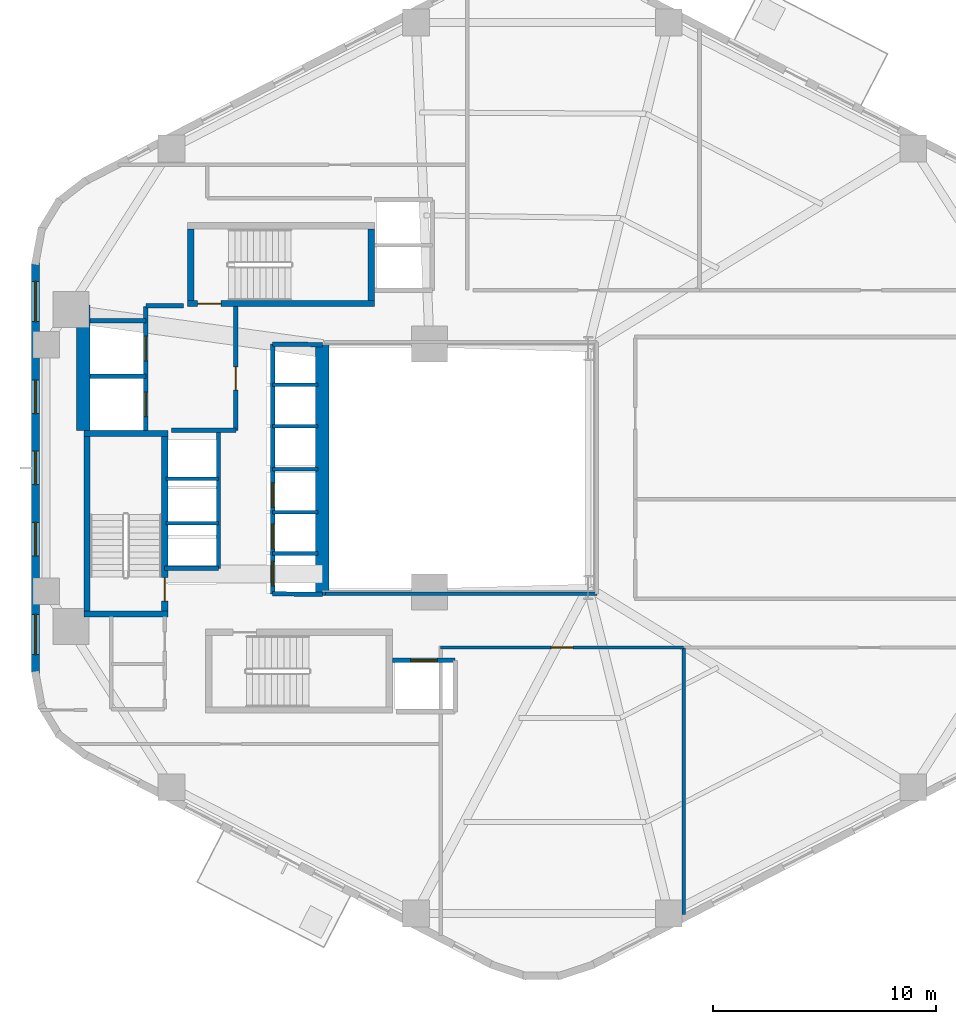
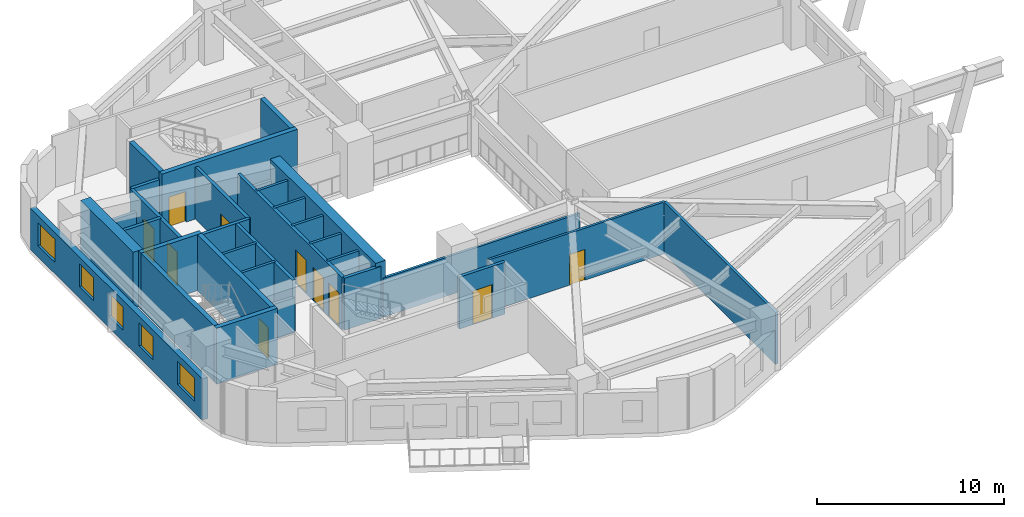
# One storey, part 3 of 7: 32 walls, 10 doors, 5 windows, 15 openings.
"""IFC4 building model written with IfcOpenShell, lengths in metres."""

from ifc_helpers import new_model, si_unit, direction, frame, frame_2d, origin, place, context, subcontext, project, spatial, rectangle, extrude, material, layer, layer_set, type_object, element, fill, save


model = new_model("IFC4")

# Units and contexts
model_context = context("Model", 3, precision=1e-05, world=origin(), true_north=direction((0.0, 1.0)))
body_context = subcontext(model_context, "Body", "Model", "MODEL_VIEW")
ifc_project = project(units=[si_unit("LENGTHUNIT", "METRE"), si_unit("AREAUNIT", "SQUARE_METRE"), si_unit("VOLUMEUNIT", "CUBIC_METRE"), si_unit("PLANEANGLEUNIT", "RADIAN"), si_unit("MASSUNIT", "GRAM", prefix="KILO"), si_unit("THERMODYNAMICTEMPERATUREUNIT", "KELVIN"), si_unit("POWERUNIT", "WATT")], contexts=[model_context])

# Site, building, storey
site_placement = place(None, origin())
site = spatial("IfcSite", under=ifc_project, at=site_placement, CompositionType="ELEMENT")
building_placement = place(site_placement, origin())
building = spatial("IfcBuilding", under=site, at=building_placement, Name="Skarre Station Tower", CompositionType="ELEMENT")
storey_placement = place(building_placement, frame((0.0, 0.0, 37.949951171875)))
storey = spatial("IfcBuildingStorey", under=building, at=storey_placement, Name="L09", CompositionType="ELEMENT", Elevation=37.949951171875)

# Wall
ifc_material_1 = material(Name="Acoustic Steel-Stud Gypsum Partition", Category="steel")
ifc_layer_1 = layer(ifc_material_1, 0.14990234375, Name="Acoustic Steel-Stud Gypsum Partition")
ifc_layer_set_1 = layer_set([ifc_layer_1], Name="Acoustic Steel-Stud Gypsum Partition")
wall_type_1 = type_object("IfcWallType", Name="Fire-Rated Corridor Acoustic Partition 150", PredefinedType="PARTITIONING", material=ifc_layer_set_1)
wall_1_placement = place(storey_placement, frame((27.699951171875, 18.360107421875, 0.0), z_axis=(0.0, 0.0, 1.0), x_axis=(1.0, 0.0, 0.0)))
element("IfcWall", 1, at=wall_1_placement, inside=storey, type_object=wall_type_1, Name="L09 Interior Partition WL-PT-L09-ATRW-S", PredefinedType="PARTITIONING", context=body_context, shape_type="SweptSolid", body=[
    extrude(rectangle(XDim=12.14013671875, YDim=0.14990234375, at=frame_2d((6.070068359375, 0.0))), origin(), (0.0, 0.0, 1.0), 2.531005859375),
])

# Wall, opening, door
wall_2_placement = place(storey_placement, frame((32.85009765625, 15.9599609375, 0.0), z_axis=(0.0, 0.0, 1.0), x_axis=(1.0, 0.0, 0.0)))
wall_2 = element("IfcWall", 2, at=wall_2_placement, inside=storey, type_object=wall_type_1, Name="L09 Interior Partition WL-PT-L09-SW1-CW", PredefinedType="PARTITIONING", context=body_context, shape_type="SweptSolid", body=[
    extrude(rectangle(XDim=10.868896484375, YDim=0.14990234375, at=frame_2d((5.4345703125, 0.0))), origin(), (0.0, 0.0, 1.0), 3.39013671875),
])
opening_1_placement = place(wall_2_placement, frame((4.955078125, 0.0, 0.0)))
opening_1 = element("IfcOpeningElement", 3, at=opening_1_placement, cuts=wall_2, Name="Opening DR-FD60", PredefinedType="OPENING", context=body_context, shape_type="SweptSolid", body=[
    extrude(rectangle(XDim=0.9599609375, YDim=2.0, at=frame_2d((0.47998046875, 1.0))), frame((0.0, 0.0849609375, 0.0), z_axis=(0.0, -1.0, 0.0), x_axis=(1.0, 0.0, 0.0)), (0.0, 0.0, 1.0), 0.169921875),
])
ifc_material_2 = material(Name="Nordic White-Oak Veneer Solid-Core Fire Leaf", Category="wood")
door_type_1 = type_object("IfcDoorType", Name="Corridor Suite Entry Fire Door FD60 960x2150", OperationType="SINGLE_SWING_LEFT", PredefinedType="DOOR", material=ifc_material_2)
door_1_placement = place(opening_1_placement, origin())
door_1 = element("IfcDoor", 4, at=door_1_placement, inside=storey, type_object=door_type_1, Name="L09 SW1 Entry Door", OperationType="SINGLE_SWING_LEFT", OverallHeight=2.0, OverallWidth=0.9599609375, PredefinedType="DOOR", context=body_context, shape_type="SweptSolid", body=[
    extrude(rectangle(XDim=0.9599609375, YDim=2.0, at=frame_2d((0.47998046875, 1.0))), frame((0.0, 0.02490234375, 0.0), z_axis=(0.0, -1.0, 0.0), x_axis=(1.0, 0.0, 0.0)), (0.0, 0.0, 1.0), 0.050048828125),
])
fill(opening_1, door_1)

# Wall, openings, windows
ifc_material_3 = material(Name="Precast concrete C45/55", Category="concrete")
ifc_layer_2 = layer(ifc_material_3, 0.340087890625, Name="Precast concrete C45/55")
ifc_layer_set_2 = layer_set([ifc_layer_2], Name="Precast concrete C45/55")
wall_type_2 = type_object("IfcWallType", Name="Nordic Honed Precast Facet Wall 340", PredefinedType="STANDARD", material=ifc_layer_set_2)
wall_3_placement = place(storey_placement, frame((14.70703125, 14.798095703125, 0.0), z_axis=(0.0, 0.0, 1.0), x_axis=(0.0, 1.0, 0.0)))
wall_3 = element("IfcWall", 5, at=wall_3_placement, inside=storey, type_object=wall_type_2, Name="L09 Facet 2 Nordic Precast Masonry Wall", PredefinedType="STANDARD", context=body_context, shape_type="SweptSolid", body=[
    extrude(rectangle(XDim=18.40380859375, YDim=0.340087890625, at=frame_2d((9.201904296875, 0.0))), origin(), (0.0, 0.0, 1.0), 2.68408203125),
])
opening_2_placement = place(wall_3_placement, frame((0.844970703125, 0.0, 0.75)))
opening_2 = element("IfcOpeningElement", 6, at=opening_2_placement, cuts=wall_3, Name="Opening WN-Z1A", PredefinedType="OPENING", context=body_context, shape_type="SweptSolid", body=[
    extrude(rectangle(XDim=1.800048828125, YDim=1.5, at=frame_2d((0.89990234375, 0.75))), frame((0.0, 0.179931640625, 0.0), z_axis=(0.0, -1.0, 0.0), x_axis=(1.0, 0.0, 0.0)), (0.0, 0.0, 1.0), 0.360107421875),
])
opening_3_placement = place(wall_3_placement, frame((5.264892578125, 0.0, 0.75)))
opening_3 = element("IfcOpeningElement", 7, at=opening_3_placement, cuts=wall_3, Name="Opening WN-Z1B", PredefinedType="OPENING", context=body_context, shape_type="SweptSolid", body=[
    extrude(rectangle(XDim=1.5, YDim=1.5, at=frame_2d((0.75, 0.75))), frame((0.0, 0.179931640625, 0.0), z_axis=(0.0, -1.0, 0.0), x_axis=(1.0, 0.0, 0.0)), (0.0, 0.0, 1.0), 0.360107421875),
])
opening_4_placement = place(wall_3_placement, frame((8.451904296875, 0.0, 0.75)))
opening_4 = element("IfcOpeningElement", 8, at=opening_4_placement, cuts=wall_3, Name="Opening WN-Z1B", PredefinedType="OPENING", context=body_context, shape_type="SweptSolid", body=[
    extrude(rectangle(XDim=1.5, YDim=1.5, at=frame_2d((0.75, 0.75))), frame((0.0, 0.179931640625, 0.0), z_axis=(0.0, -1.0, 0.0), x_axis=(1.0, 0.0, 0.0)), (0.0, 0.0, 1.0), 0.360107421875),
])
opening_5_placement = place(wall_3_placement, frame((11.638916015625, 0.0, 0.75)))
opening_5 = element("IfcOpeningElement", 9, at=opening_5_placement, cuts=wall_3, Name="Opening WN-Z1B", PredefinedType="OPENING", context=body_context, shape_type="SweptSolid", body=[
    extrude(rectangle(XDim=1.5, YDim=1.5, at=frame_2d((0.75, 0.75))), frame((0.0, 0.179931640625, 0.0), z_axis=(0.0, -1.0, 0.0), x_axis=(1.0, 0.0, 0.0)), (0.0, 0.0, 1.0), 0.360107421875),
])
opening_6_placement = place(wall_3_placement, frame((15.758056640625, 0.0, 0.75)))
opening_6 = element("IfcOpeningElement", 10, at=opening_6_placement, cuts=wall_3, Name="Opening WN-Z1A", PredefinedType="OPENING", context=body_context, shape_type="SweptSolid", body=[
    extrude(rectangle(XDim=1.800048828125, YDim=1.5, at=frame_2d((0.89990234375, 0.75))), frame((0.0, 0.179931640625, 0.0), z_axis=(0.0, -1.0, 0.0), x_axis=(1.0, 0.0, 0.0)), (0.0, 0.0, 1.0), 0.360107421875),
])
ifc_material_4 = material(Name="Low-Iron Triple Glazing with Bronze Anodized Frame", Category="glass")
window_type_1 = type_object("IfcWindowType", Name="Nordic Punched Triple-Glazed Window 1500x1500", PartitioningType="SINGLE_PANEL", PredefinedType="WINDOW", material=ifc_material_4)
window_1_placement = place(opening_3_placement, origin())
window_1 = element("IfcWindow", 11, at=window_1_placement, inside=storey, type_object=window_type_1, Name="L09 Facade Window WL-FAC-L09-F2-2", OverallHeight=1.5, OverallWidth=1.5, PartitioningType="SINGLE_PANEL", PredefinedType="WINDOW", context=body_context, shape_type="SweptSolid", body=[
    extrude(rectangle(XDim=1.5, YDim=1.5, at=frame_2d((0.75, 0.75))), frame((0.0, 0.030029296875, 0.0), z_axis=(0.0, -1.0, 0.0), x_axis=(1.0, 0.0, 0.0)), (0.0, 0.0, 1.0), 0.06005859375),
])
fill(opening_3, window_1)
window_2_placement = place(opening_4_placement, origin())
window_2 = element("IfcWindow", 12, at=window_2_placement, inside=storey, type_object=window_type_1, Name="L09 Facade Window WL-FAC-L09-F2-3", OverallHeight=1.5, OverallWidth=1.5, PartitioningType="SINGLE_PANEL", PredefinedType="WINDOW", context=body_context, shape_type="SweptSolid", body=[
    extrude(rectangle(XDim=1.5, YDim=1.5, at=frame_2d((0.75, 0.75))), frame((0.0, 0.030029296875, 0.0), z_axis=(0.0, -1.0, 0.0), x_axis=(1.0, 0.0, 0.0)), (0.0, 0.0, 1.0), 0.06005859375),
])
fill(opening_4, window_2)
window_3_placement = place(opening_5_placement, origin())
window_3 = element("IfcWindow", 13, at=window_3_placement, inside=storey, type_object=window_type_1, Name="L09 Facade Window WL-FAC-L09-F2-4", OverallHeight=1.5, OverallWidth=1.5, PartitioningType="SINGLE_PANEL", PredefinedType="WINDOW", context=body_context, shape_type="SweptSolid", body=[
    extrude(rectangle(XDim=1.5, YDim=1.5, at=frame_2d((0.75, 0.75))), frame((0.0, 0.030029296875, 0.0), z_axis=(0.0, -1.0, 0.0), x_axis=(1.0, 0.0, 0.0)), (0.0, 0.0, 1.0), 0.06005859375),
])
fill(opening_5, window_3)
window_type_2 = type_object("IfcWindowType", Name="Nordic Punched Triple-Glazed Window 1800x1500", PartitioningType="SINGLE_PANEL", PredefinedType="WINDOW", material=ifc_material_4)
window_4_placement = place(opening_2_placement, origin())
window_4 = element("IfcWindow", 14, at=window_4_placement, inside=storey, type_object=window_type_2, Name="L09 Facade Window WL-FAC-L09-F2-1", OverallHeight=1.5, OverallWidth=1.800048828125, PartitioningType="SINGLE_PANEL", PredefinedType="WINDOW", context=body_context, shape_type="SweptSolid", body=[
    extrude(rectangle(XDim=1.800048828125, YDim=1.5, at=frame_2d((0.89990234375, 0.75))), frame((0.0, 0.030029296875, 0.0), z_axis=(0.0, -1.0, 0.0), x_axis=(1.0, 0.0, 0.0)), (0.0, 0.0, 1.0), 0.06005859375),
])
fill(opening_2, window_4)
window_5_placement = place(opening_6_placement, origin())
window_5 = element("IfcWindow", 15, at=window_5_placement, inside=storey, type_object=window_type_2, Name="L09 Facade Window WL-FAC-L09-F2-5", OverallHeight=1.5, OverallWidth=1.800048828125, PartitioningType="SINGLE_PANEL", PredefinedType="WINDOW", context=body_context, shape_type="SweptSolid", body=[
    extrude(rectangle(XDim=1.800048828125, YDim=1.5, at=frame_2d((0.89990234375, 0.75))), frame((0.0, 0.030029296875, 0.0), z_axis=(0.0, -1.0, 0.0), x_axis=(1.0, 0.0, 0.0)), (0.0, 0.0, 1.0), 0.06005859375),
])
fill(opening_6, window_5)

# Walls
ifc_material_5 = material(Name="Concrete C50/60", Category="concrete")
ifc_layer_3 = layer(ifc_material_5, 0.280029296875, Name="Concrete C50/60")
ifc_layer_set_3 = layer_set([ifc_layer_3], Name="Concrete C50/60")
wall_type_3 = type_object("IfcWallType", Name="RC Core Shear Wall 280", PredefinedType="SHEAR", material=ifc_layer_set_3)
for number, where, z_axis, x_axis, name in (
    (16, (16.8701171875, 17.4599609375, 0.0), (0.0, 0.0, 1.0), (1.0, 0.0, 0.0), "L09 Stair ST-1 South Shear Wall"),
    (17, (20.6298828125, 25.5400390625, 0.0), (0.0, 0.0, 1.0), (-1.0, 0.0, 0.0), "L09 Stair ST-1 North Shear Wall"),
):
    element("IfcWall", number, at=place(storey_placement, frame(where, z_axis=z_axis, x_axis=x_axis)), inside=storey, type_object=wall_type_3, Name=name, PredefinedType="SHEAR", context=body_context, shape_type="SweptSolid", body=[
        extrude(rectangle(XDim=3.759765625, YDim=0.280029296875, at=frame_2d((1.8798828125, 0.0))), origin(), (0.0, 0.0, 1.0), 3.650146484375),
    ])
wall_4_placement = place(storey_placement, frame((17.010009765625, 25.39990234375, 0.0), z_axis=(0.0, 0.0, 1.0), x_axis=(0.0, -1.0, 0.0)))
element("IfcWall", 18, at=wall_4_placement, inside=storey, type_object=wall_type_3, Name="L09 Stair ST-1 West Shear Wall", PredefinedType="SHEAR", context=body_context, shape_type="SweptSolid", body=[
    extrude(rectangle(XDim=7.7998046875, YDim=0.280029296875, at=frame_2d((3.89990234375, 0.0))), origin(), (0.0, 0.0, 1.0), 3.650146484375),
])

# Wall, opening, door
wall_5_placement = place(storey_placement, frame((20.489990234375, 17.60009765625, 0.0), z_axis=(0.0, 0.0, 1.0), x_axis=(0.0, 1.0, 0.0)))
wall_5 = element("IfcWall", 19, at=wall_5_placement, inside=storey, type_object=wall_type_3, Name="L09 Stair ST-1 East Shear Wall", PredefinedType="SHEAR", context=body_context, shape_type="SweptSolid", body=[
    extrude(rectangle(XDim=7.7998046875, YDim=0.280029296875, at=frame_2d((3.89990234375, 0.0))), origin(), (0.0, 0.0, 1.0), 3.650146484375),
])
opening_7_placement = place(wall_5_placement, frame((0.43994140625, 0.0, 0.0)))
opening_7 = element("IfcOpeningElement", 20, at=opening_7_placement, cuts=wall_5, Name="Opening DR-FD90", PredefinedType="OPENING", context=body_context, shape_type="SweptSolid", body=[
    extrude(rectangle(XDim=1.050048828125, YDim=2.0, at=frame_2d((0.52490234375, 1.0))), frame((0.0, 0.14990234375, 0.0), z_axis=(0.0, -1.0, 0.0), x_axis=(1.0, 0.0, 0.0)), (0.0, 0.0, 1.0), 0.300048828125),
])
ifc_material_6 = material(Name="Fire-Rated Insulated Steel Frame & Timber Core Leaf", Category="steel")
door_type_2 = type_object("IfcDoorType", Name="Stair & FSAE Lobby Fire Door FD90 1050x2150", OperationType="SINGLE_SWING_RIGHT", PredefinedType="DOOR", material=ifc_material_6)
door_2_placement = place(opening_7_placement, origin())
door_2 = element("IfcDoor", 21, at=door_2_placement, inside=storey, type_object=door_type_2, Name="L09 Stair ST-1 Exit Door", OperationType="SINGLE_SWING_RIGHT", OverallHeight=2.0, OverallWidth=1.050048828125, PredefinedType="DOOR", context=body_context, shape_type="SweptSolid", body=[
    extrude(rectangle(XDim=1.050048828125, YDim=2.0, at=frame_2d((0.52490234375, 1.0))), frame((0.0, 0.02490234375, 0.0), z_axis=(0.0, -1.0, 0.0), x_axis=(1.0, 0.0, 0.0)), (0.0, 0.0, 1.0), 0.050048828125),
])
fill(opening_7, door_2)

wall_6_placement = place(storey_placement, frame((21.52001953125, 31.360107421875, 0.0), z_axis=(0.0, 0.0, 1.0), x_axis=(1.0, 0.0, 0.0)))
wall_6 = element("IfcWall", 22, at=wall_6_placement, inside=storey, type_object=wall_type_3, Name="L09 Stair ST-3 South Shear Wall", PredefinedType="SHEAR", context=body_context, shape_type="SweptSolid", body=[
    extrude(rectangle(XDim=8.35986328125, YDim=0.280029296875, at=frame_2d((4.179931640625, 0.0))), origin(), (0.0, 0.0, 1.0), 3.650146484375),
])
opening_8_placement = place(wall_6_placement, frame((0.449951171875, 0.0, 0.0)))
opening_8 = element("IfcOpeningElement", 23, at=opening_8_placement, cuts=wall_6, Name="Opening DR-FD90", PredefinedType="OPENING", context=body_context, shape_type="SweptSolid", body=[
    extrude(rectangle(XDim=1.050048828125, YDim=2.0, at=frame_2d((0.52490234375, 1.0))), frame((0.0, 0.14990234375, 0.0), z_axis=(0.0, -1.0, 0.0), x_axis=(1.0, 0.0, 0.0)), (0.0, 0.0, 1.0), 0.300048828125),
])
door_3_placement = place(opening_8_placement, origin())
door_3 = element("IfcDoor", 24, at=door_3_placement, inside=storey, type_object=door_type_2, Name="L09 Stair ST-3 & FSAE Lobby Direct Exit Door", OperationType="SINGLE_SWING_LEFT", OverallHeight=2.0, OverallWidth=1.050048828125, PredefinedType="DOOR", context=body_context, shape_type="SweptSolid", body=[
    extrude(rectangle(XDim=1.050048828125, YDim=2.0, at=frame_2d((0.52490234375, 1.0))), frame((0.0, 0.02490234375, 0.0), z_axis=(0.0, -1.0, 0.0), x_axis=(1.0, 0.0, 0.0)), (0.0, 0.0, 1.0), 0.050048828125),
])
fill(opening_8, door_3)

# Walls
for number, where, z_axis, x_axis, name in (
    (25, (21.659912109375, 34.699951171875, 0.0), (0.0, 0.0, 1.0), (0.0, -1.0, 0.0), "L09 Stair ST-3 West Shear Wall"),
    (26, (29.739990234375, 31.5, 0.0), (0.0, 0.0, 1.0), (0.0, 1.0, 0.0), "L09 Stair ST-3 East Shear Wall"),
):
    element("IfcWall", number, at=place(storey_placement, frame(where, z_axis=z_axis, x_axis=x_axis)), inside=storey, type_object=wall_type_3, Name=name, PredefinedType="SHEAR", context=body_context, shape_type="SweptSolid", body=[
        extrude(rectangle(XDim=3.199951171875, YDim=0.280029296875, at=frame_2d((1.60009765625, 0.0))), origin(), (0.0, 0.0, 1.0), 3.650146484375),
    ])
ifc_material_7 = material(Name="Concrete C70/85", Category="concrete")
ifc_layer_4 = layer(ifc_material_7, 0.60009765625, Name="Concrete C70/85")
ifc_layer_set_4 = layer_set([ifc_layer_4], Name="Concrete C70/85")
wall_type_4 = type_object("IfcWallType", Name="RC Core Shear Wall 600", PredefinedType="SHEAR", material=ifc_layer_set_4)
wall_7_placement = place(storey_placement, frame((16.85009765625, 25.679931640625, 0.0), z_axis=(0.0, 0.0, 1.0), x_axis=(0.0, 1.0, 0.0)))
element("IfcWall", 27, at=wall_7_placement, inside=storey, type_object=wall_type_4, Name="L09 Core West-North Shear Wall", PredefinedType="SHEAR", context=body_context, shape_type="SweptSolid", body=[
    extrude(rectangle(XDim=5.6201171875, YDim=0.60009765625, at=frame_2d((2.81005859375, 0.0))), origin(), (0.0, 0.0, 1.0), 3.650146484375),
])
wall_8_placement = place(storey_placement, frame((27.550048828125, 29.550048828125, 0.0), z_axis=(0.0, 0.0, 1.0), x_axis=(0.0, -1.0, 0.0)))
element("IfcWall", 28, at=wall_8_placement, inside=storey, type_object=wall_type_4, Name="L09 Core East Atrium Shear Wall", PredefinedType="SHEAR", context=body_context, shape_type="SweptSolid", body=[
    extrude(rectangle(XDim=11.25, YDim=0.60009765625, at=frame_2d((5.625, 0.0))), origin(), (0.0, 0.0, 1.0), 3.650146484375),
])

# Wall, openings, doors
ifc_material_8 = material(Name="Gypsum Concrete Shaft Assembly C30/37", Category="concrete")
ifc_layer_5 = layer(ifc_material_8, 0.199951171875, Name="Gypsum Concrete Shaft Assembly C30/37")
ifc_layer_set_5 = layer_set([ifc_layer_5], Name="Gypsum Concrete Shaft Assembly C30/37")
wall_type_5 = type_object("IfcWallType", Name="Shaft & Core Fire Partition 200", PredefinedType="PARTITIONING", material=ifc_layer_set_5)
wall_9_placement = place(storey_placement, frame((19.64990234375, 25.679931640625, 0.0), z_axis=(0.0, 0.0, 1.0), x_axis=(0.0, 1.0, 0.0)))
wall_9 = element("IfcWall", 29, at=wall_9_placement, inside=storey, type_object=wall_type_5, Name="L09 Interior Partition WL-PT-L09-FSAE-W", PredefinedType="PARTITIONING", context=body_context, shape_type="SweptSolid", body=[
    extrude(rectangle(XDim=5.5400390625, YDim=0.199951171875, at=frame_2d((2.77001953125, 0.0))), origin(), (0.0, 0.0, 1.0), 3.39013671875),
])
opening_9_placement = place(wall_9_placement, frame((0.6201171875, 0.0, 0.0)))
opening_9 = element("IfcOpeningElement", 30, at=opening_9_placement, cuts=wall_9, Name="Opening LD-FF1", PredefinedType="OPENING", context=body_context, shape_type="SweptSolid", body=[
    extrude(rectangle(XDim=1.10009765625, YDim=2.199951171875, at=frame_2d((0.550048828125, 1.10009765625))), frame((0.0, 0.10986328125, 0.0), z_axis=(0.0, -1.0, 0.0), x_axis=(1.0, 0.0, 0.0)), (0.0, 0.0, 1.0), 0.219970703125),
])
opening_10_placement = place(wall_9_placement, frame((3.1201171875, 0.0, 0.0)))
opening_10 = element("IfcOpeningElement", 31, at=opening_10_placement, cuts=wall_9, Name="Opening LD-FF2", PredefinedType="OPENING", context=body_context, shape_type="SweptSolid", body=[
    extrude(rectangle(XDim=1.10009765625, YDim=2.199951171875, at=frame_2d((0.550048828125, 1.10009765625))), frame((0.0, 0.10986328125, 0.0), z_axis=(0.0, -1.0, 0.0), x_axis=(1.0, 0.0, 0.0)), (0.0, 0.0, 1.0), 0.219970703125),
])
ifc_material_9 = material(Name="Fire-Rated Stainless Steel Grade 316L Sliding Leaves", Category="steel")
door_type_3 = type_object("IfcDoorType", Name="Fire Service Access Elevator Sliding Landing Door 1100x2200", OperationType="SLIDING_TO_LEFT", PredefinedType="DOOR", material=ifc_material_9)
door_4_placement = place(opening_9_placement, origin())
door_4 = element("IfcDoor", 32, at=door_4_placement, inside=storey, type_object=door_type_3, Name="L09 Firefighting Lift LF-FF1 Landing Door", OperationType="SLIDING_TO_LEFT", OverallHeight=2.199951171875, OverallWidth=1.10009765625, PredefinedType="DOOR", context=body_context, shape_type="SweptSolid", body=[
    extrude(rectangle(XDim=1.10009765625, YDim=2.199951171875, at=frame_2d((0.550048828125, 1.10009765625))), frame((0.0, 0.02490234375, 0.0), z_axis=(0.0, -1.0, 0.0), x_axis=(1.0, 0.0, 0.0)), (0.0, 0.0, 1.0), 0.050048828125),
])
fill(opening_9, door_4)
door_5_placement = place(opening_10_placement, origin())
door_5 = element("IfcDoor", 33, at=door_5_placement, inside=storey, type_object=door_type_3, Name="L09 Firefighting Lift LF-FF2 Landing Door", OperationType="SLIDING_TO_LEFT", OverallHeight=2.199951171875, OverallWidth=1.10009765625, PredefinedType="DOOR", context=body_context, shape_type="SweptSolid", body=[
    extrude(rectangle(XDim=1.10009765625, YDim=2.199951171875, at=frame_2d((0.550048828125, 1.10009765625))), frame((0.0, 0.02490234375, 0.0), z_axis=(0.0, -1.0, 0.0), x_axis=(1.0, 0.0, 0.0)), (0.0, 0.0, 1.0), 0.050048828125),
])
fill(opening_10, door_5)

# Wall
wall_10_placement = place(storey_placement, frame((20.79296875, 25.679931640625, 0.0), z_axis=(0.0, 0.0, 1.0), x_axis=(1.0, 0.0, 0.0)))
element("IfcWall", 34, at=wall_10_placement, inside=storey, type_object=wall_type_5, Name="L09 Interior Partition WL-PT-L09-FSAE-S", PredefinedType="PARTITIONING", context=body_context, shape_type="SweptSolid", body=[
    extrude(rectangle(XDim=2.886962890625, YDim=0.199951171875, at=frame_2d((1.443359375, 0.0))), origin(), (0.0, 0.0, 1.0), 3.39013671875),
])

# Wall, opening, door
wall_11_placement = place(storey_placement, frame((23.679931640625, 25.679931640625, 0.0), z_axis=(0.0, 0.0, 1.0), x_axis=(0.0, 1.0, 0.0)))
wall_11 = element("IfcWall", 35, at=wall_11_placement, inside=storey, type_object=wall_type_5, Name="L09 Interior Partition WL-PT-L09-FSAE-E", PredefinedType="PARTITIONING", context=body_context, shape_type="SweptSolid", body=[
    extrude(rectangle(XDim=5.5400390625, YDim=0.199951171875, at=frame_2d((2.77001953125, 0.0))), origin(), (0.0, 0.0, 1.0), 3.39013671875),
])
opening_11_placement = place(wall_11_placement, frame((1.800048828125, 0.0, 0.0)))
opening_11 = element("IfcOpeningElement", 36, at=opening_11_placement, cuts=wall_11, Name="Opening DR-FD90", PredefinedType="OPENING", context=body_context, shape_type="SweptSolid", body=[
    extrude(rectangle(XDim=1.050048828125, YDim=2.0, at=frame_2d((0.52490234375, 1.0))), frame((0.0, 0.10986328125, 0.0), z_axis=(0.0, -1.0, 0.0), x_axis=(1.0, 0.0, 0.0)), (0.0, 0.0, 1.0), 0.219970703125),
])
door_6_placement = place(opening_11_placement, origin())
door_6 = element("IfcDoor", 37, at=door_6_placement, inside=storey, type_object=door_type_2, Name="L09 FSAE Lobby Fire Door", OperationType="SINGLE_SWING_RIGHT", OverallHeight=2.0, OverallWidth=1.050048828125, PredefinedType="DOOR", context=body_context, shape_type="SweptSolid", body=[
    extrude(rectangle(XDim=1.050048828125, YDim=2.0, at=frame_2d((0.52490234375, 1.0))), frame((0.0, 0.02490234375, 0.0), z_axis=(0.0, -1.0, 0.0), x_axis=(1.0, 0.0, 0.0)), (0.0, 0.0, 1.0), 0.050048828125),
])
fill(opening_11, door_6)

# Walls
wall_12_placement = place(storey_placement, frame((21.330078125, 31.260009765625, 0.0), z_axis=(0.0, 0.0, 1.0), x_axis=(-1.0, 0.0, 0.0)))
element("IfcWall", 38, at=wall_12_placement, inside=storey, type_object=wall_type_5, Name="L09 Interior Partition WL-PT-L09-FSAE-N", PredefinedType="PARTITIONING", context=body_context, shape_type="SweptSolid", body=[
    extrude(rectangle(XDim=1.68017578125, YDim=0.199951171875, at=frame_2d((0.840087890625, 0.0))), origin(), (0.0, 0.0, 1.0), 3.39013671875),
])
wall_13_placement = place(storey_placement, frame((17.14990234375, 28.10009765625, 0.0), z_axis=(0.0, 0.0, 1.0), x_axis=(1.0, 0.0, 0.0)))
element("IfcWall", 39, at=wall_13_placement, inside=storey, type_object=wall_type_5, Name="L09 Interior Partition WL-PT-L09-FF-DIV", PredefinedType="PARTITIONING", context=body_context, shape_type="SweptSolid", body=[
    extrude(rectangle(XDim=2.5, YDim=0.199951171875, at=frame_2d((1.25, 0.0))), origin(), (0.0, 0.0, 1.0), 3.39013671875),
])
wall_14_placement = place(storey_placement, frame((19.64990234375, 30.60009765625, 0.0), z_axis=(0.0, 0.0, 1.0), x_axis=(-1.0, 0.0, 0.0)))
element("IfcWall", 40, at=wall_14_placement, inside=storey, type_object=wall_type_5, Name="L09 Interior Partition WL-PT-L09-FF-N", PredefinedType="PARTITIONING", context=body_context, shape_type="SweptSolid", body=[
    extrude(rectangle(XDim=2.5, YDim=0.199951171875, at=frame_2d((1.25, 0.0))), origin(), (0.0, 0.0, 1.0), 2.2900390625),
])

# Wall, opening, door
wall_15_placement = place(storey_placement, frame((33.5, 15.3798828125, 0.0), z_axis=(0.0, 0.0, 1.0), x_axis=(-1.0, 0.0, 0.0)))
wall_15 = element("IfcWall", 41, at=wall_15_placement, inside=storey, type_object=wall_type_5, Name="L09 Interior Partition WL-PT-L09-SV1-N", PredefinedType="PARTITIONING", context=body_context, shape_type="SweptSolid", body=[
    extrude(rectangle(XDim=2.820068359375, YDim=0.199951171875, at=frame_2d((1.41015625, 0.0))), origin(), (0.0, 0.0, 1.0), 3.39013671875),
])
opening_12_placement = place(wall_15_placement, frame((0.800048828125, 0.0, 0.0)))
opening_12 = element("IfcOpeningElement", 42, at=opening_12_placement, cuts=wall_15, Name="Opening LD-SV1", PredefinedType="OPENING", context=body_context, shape_type="SweptSolid", body=[
    extrude(rectangle(XDim=1.199951171875, YDim=2.199951171875, at=frame_2d((0.60009765625, 1.10009765625))), frame((0.0, 0.10986328125, 0.0), z_axis=(0.0, -1.0, 0.0), x_axis=(1.0, 0.0, 0.0)), (0.0, 0.0, 1.0), 0.219970703125),
])
ifc_material_10 = material(Name="Heavy-Gauge Brushed Stainless Steel Sliding Leaves", Category="steel")
door_type_4 = type_object("IfcDoorType", Name="Service Elevator Wide Sliding Landing Door 1200x2200", OperationType="SLIDING_TO_RIGHT", PredefinedType="DOOR", material=ifc_material_10)
door_7_placement = place(opening_12_placement, origin())
door_7 = element("IfcDoor", 43, at=door_7_placement, inside=storey, type_object=door_type_4, Name="L09 Service Lift LF-SV1 Landing Door", OperationType="SLIDING_TO_RIGHT", OverallHeight=2.199951171875, OverallWidth=1.199951171875, PredefinedType="DOOR", context=body_context, shape_type="SweptSolid", body=[
    extrude(rectangle(XDim=1.199951171875, YDim=2.199951171875, at=frame_2d((0.60009765625, 1.10009765625))), frame((0.0, 0.02490234375, 0.0), z_axis=(0.0, -1.0, 0.0), x_axis=(1.0, 0.0, 0.0)), (0.0, 0.0, 1.0), 0.050048828125),
])
fill(opening_12, door_7)

# Walls
wall_16_placement = place(storey_placement, frame((22.89990234375, 19.5, 0.0), z_axis=(0.0, 0.0, 1.0), x_axis=(0.0, 1.0, 0.0)))
element("IfcWall", 44, at=wall_16_placement, inside=storey, type_object=wall_type_5, Name="L09 Interior Partition WL-PT-L09-B3-E", PredefinedType="PARTITIONING", context=body_context, shape_type="SweptSolid", body=[
    extrude(rectangle(XDim=6.0849609375, YDim=0.199951171875, at=frame_2d((3.04248046875, 0.0))), origin(), (0.0, 0.0, 1.0), 3.39013671875),
])
wall_17_placement = place(storey_placement, frame((20.489990234375, 19.5, 0.0), z_axis=(0.0, 0.0, 1.0), x_axis=(1.0, 0.0, 0.0)))
element("IfcWall", 45, at=wall_17_placement, inside=storey, type_object=wall_type_5, Name="L09 Interior Partition WL-PT-L09-B3-S", PredefinedType="PARTITIONING", context=body_context, shape_type="SweptSolid", body=[
    extrude(rectangle(XDim=2.409912109375, YDim=0.199951171875, at=frame_2d((1.205078125, 0.0))), origin(), (0.0, 0.0, 1.0), 2.2900390625),
])
for number, where, z_axis, x_axis, name in (
    (46, (20.550048828125, 21.52001953125, 0.0), (0.0, 0.0, 1.0), (1.0, 0.0, 0.0), "L09 Interior Partition WL-PT-L09-B3-D1"),
    (47, (20.550048828125, 23.52001953125, 0.0), (0.0, 0.0, 1.0), (1.0, 0.0, 0.0), "L09 Interior Partition WL-PT-L09-B3-D2"),
):
    element("IfcWall", number, at=place(storey_placement, frame(where, z_axis=z_axis, x_axis=x_axis)), inside=storey, type_object=wall_type_5, Name=name, PredefinedType="PARTITIONING", context=body_context, shape_type="SweptSolid", body=[
        extrude(rectangle(XDim=2.349853515625, YDim=0.159912109375, at=frame_2d((1.1748046875, 0.0))), origin(), (0.0, 0.0, 1.0), 3.39013671875),
    ])

# Wall, openings, doors
wall_18_placement = place(storey_placement, frame((25.320068359375, 29.550048828125, 0.0), z_axis=(0.0, 0.0, 1.0), x_axis=(0.0, -1.0, 0.0)))
wall_18 = element("IfcWall", 48, at=wall_18_placement, inside=storey, type_object=wall_type_5, Name="L09 Interior Partition WL-PT-L09-B12-W", PredefinedType="PARTITIONING", context=body_context, shape_type="SweptSolid", body=[
    extrude(rectangle(XDim=11.18994140625, YDim=0.199951171875, at=frame_2d((5.594970703125, 0.0))), origin(), (0.0, 0.0, 1.0), 3.39013671875),
])
opening_13_placement = place(wall_18_placement, frame((6.219970703125, 0.0, 0.0)))
opening_13 = element("IfcOpeningElement", 49, at=opening_13_placement, cuts=wall_18, Name="Opening LD-P3", PredefinedType="OPENING", context=body_context, shape_type="SweptSolid", body=[
    extrude(rectangle(XDim=1.10009765625, YDim=2.199951171875, at=frame_2d((0.550048828125, 1.10009765625))), frame((0.0, 0.10986328125, 0.0), z_axis=(0.0, -1.0, 0.0), x_axis=(1.0, 0.0, 0.0)), (0.0, 0.0, 1.0), 0.219970703125),
])
opening_14_placement = place(wall_18_placement, frame((8.070068359375, 0.0, 0.0)))
opening_14 = element("IfcOpeningElement", 50, at=opening_14_placement, cuts=wall_18, Name="Opening LD-P2", PredefinedType="OPENING", context=body_context, shape_type="SweptSolid", body=[
    extrude(rectangle(XDim=1.10009765625, YDim=2.199951171875, at=frame_2d((0.550048828125, 1.10009765625))), frame((0.0, 0.10986328125, 0.0), z_axis=(0.0, -1.0, 0.0), x_axis=(1.0, 0.0, 0.0)), (0.0, 0.0, 1.0), 0.219970703125),
])
opening_15_placement = place(wall_18_placement, frame((9.72998046875, 0.0, 0.0)))
opening_15 = element("IfcOpeningElement", 51, at=opening_15_placement, cuts=wall_18, Name="Opening LD-P1", PredefinedType="OPENING", context=body_context, shape_type="SweptSolid", body=[
    extrude(rectangle(XDim=1.10009765625, YDim=2.199951171875, at=frame_2d((0.550048828125, 1.10009765625))), frame((0.0, 0.10986328125, 0.0), z_axis=(0.0, -1.0, 0.0), x_axis=(1.0, 0.0, 0.0)), (0.0, 0.0, 1.0), 0.219970703125),
])
ifc_material_11 = material(Name="Brushed Bronze Stainless Steel Sliding Leaves", Category="steel")
door_type_5 = type_object("IfcDoorType", Name="Passenger Elevator Center-Parting Sliding Door 1100x2200", OperationType="SLIDING_TO_LEFT", PredefinedType="DOOR", material=ifc_material_11)
door_8_placement = place(opening_13_placement, origin())
door_8 = element("IfcDoor", 52, at=door_8_placement, inside=storey, type_object=door_type_5, Name="L09 Passenger Lift LF-P3 Landing Door", OperationType="SLIDING_TO_LEFT", OverallHeight=2.199951171875, OverallWidth=1.10009765625, PredefinedType="DOOR", context=body_context, shape_type="SweptSolid", body=[
    extrude(rectangle(XDim=1.10009765625, YDim=2.199951171875, at=frame_2d((0.550048828125, 1.10009765625))), frame((0.0, 0.02490234375, 0.0), z_axis=(0.0, -1.0, 0.0), x_axis=(1.0, 0.0, 0.0)), (0.0, 0.0, 1.0), 0.050048828125),
])
fill(opening_13, door_8)
door_9_placement = place(opening_14_placement, origin())
door_9 = element("IfcDoor", 53, at=door_9_placement, inside=storey, type_object=door_type_5, Name="L09 Passenger Lift LF-P2 Landing Door", OperationType="SLIDING_TO_LEFT", OverallHeight=2.199951171875, OverallWidth=1.10009765625, PredefinedType="DOOR", context=body_context, shape_type="SweptSolid", body=[
    extrude(rectangle(XDim=1.10009765625, YDim=2.199951171875, at=frame_2d((0.550048828125, 1.10009765625))), frame((0.0, 0.02490234375, 0.0), z_axis=(0.0, -1.0, 0.0), x_axis=(1.0, 0.0, 0.0)), (0.0, 0.0, 1.0), 0.050048828125),
])
fill(opening_14, door_9)
door_10_placement = place(opening_15_placement, origin())
door_10 = element("IfcDoor", 54, at=door_10_placement, inside=storey, type_object=door_type_5, Name="L09 Passenger Lift LF-P1 Landing Door", OperationType="SLIDING_TO_LEFT", OverallHeight=2.199951171875, OverallWidth=1.10009765625, PredefinedType="DOOR", context=body_context, shape_type="SweptSolid", body=[
    extrude(rectangle(XDim=1.10009765625, YDim=2.199951171875, at=frame_2d((0.550048828125, 1.10009765625))), frame((0.0, 0.02490234375, 0.0), z_axis=(0.0, -1.0, 0.0), x_axis=(1.0, 0.0, 0.0)), (0.0, 0.0, 1.0), 0.050048828125),
])
fill(opening_15, door_10)

# Walls
wall_19_placement = place(storey_placement, frame((25.320068359375, 18.360107421875, 0.0), z_axis=(0.0, 0.0, 1.0), x_axis=(0.999989925833, -0.004488678231, 0.0)))
element("IfcWall", 55, at=wall_19_placement, inside=storey, type_object=wall_type_5, Name="L09 Interior Partition WL-PT-L09-B12-S", PredefinedType="PARTITIONING", context=body_context, shape_type="SweptSolid", body=[
    extrude(rectangle(XDim=2.22998046875, YDim=0.199951171875, at=frame_2d((1.114990234375, 0.0))), origin(), (0.0, 0.0, 1.0), 3.39013671875),
])
wall_20_placement = place(storey_placement, frame((27.550048828125, 29.52001953125, 0.0), z_axis=(0.0, 0.0, 1.0), x_axis=(-0.999909343457, 0.013464949556, 0.0)))
element("IfcWall", 56, at=wall_20_placement, inside=storey, type_object=wall_type_5, Name="L09 Interior Partition WL-PT-L09-B12-N", PredefinedType="PARTITIONING", context=body_context, shape_type="SweptSolid", body=[
    extrude(rectangle(XDim=2.230224609375, YDim=0.199951171875, at=frame_2d((1.115234375, 0.0))), origin(), (0.0, 0.0, 1.0), 2.2900390625),
])
for number, where, z_axis, x_axis, name in (
    (57, (25.320068359375, 20.169921875, 0.0), (0.0, 0.0, 1.0), (1.0, 0.0, 0.0), "L09 Interior Partition WL-PT-L09-B12-D201"),
    (58, (25.320068359375, 22.02001953125, 0.0), (0.0, 0.0, 1.0), (1.0, 0.0, 0.0), "L09 Interior Partition WL-PT-L09-B12-D220"),
    (59, (25.320068359375, 23.949951171875, 0.0), (0.0, 0.0, 1.0), (1.0, 0.0, 0.0), "L09 Interior Partition WL-PT-L09-B12-D239"),
    (60, (25.320068359375, 25.8701171875, 0.0), (0.0, 0.0, 1.0), (1.0, 0.0, 0.0), "L09 Interior Partition WL-PT-L09-B12-D258"),
    (61, (25.320068359375, 27.719970703125, 0.0), (0.0, 0.0, 1.0), (1.0, 0.0, 0.0), "L09 Interior Partition WL-PT-L09-B12-D277"),
):
    element("IfcWall", number, at=place(storey_placement, frame(where, z_axis=z_axis, x_axis=x_axis)), inside=storey, type_object=wall_type_5, Name=name, PredefinedType="PARTITIONING", context=body_context, shape_type="SweptSolid", body=[
        extrude(rectangle(XDim=2.030029296875, YDim=0.159912109375, at=frame_2d((1.01513671875, 0.0))), origin(), (0.0, 0.0, 1.0), 3.39013671875),
    ])
ifc_layer_6 = layer(ifc_material_1, 0.1650390625, Name="Acoustic Steel-Stud Gypsum Partition")
ifc_layer_set_6 = layer_set([ifc_layer_6], Name="Acoustic Steel-Stud Gypsum Partition")
wall_type_6 = type_object("IfcWallType", Name="Suite Demising Acoustic Partition 165", PredefinedType="PARTITIONING", material=ifc_layer_set_6)
wall_21_placement = place(storey_placement, frame((43.737060546875, 3.9970703125, 0.0), z_axis=(0.0, 0.0, 1.0), x_axis=(0.0, 1.0, 0.0)))
element("IfcWall", 62, at=wall_21_placement, inside=storey, type_object=wall_type_6, Name="L09 Interior Partition WL-PT-L09-SW-P1", PredefinedType="PARTITIONING", context=body_context, shape_type="SweptSolid", body=[
    extrude(rectangle(XDim=11.932861328125, YDim=0.1650390625, at=frame_2d((5.96630859375, 0.0))), origin(), (0.0, 0.0, 1.0), 3.39013671875),
])

save(model, "model.ifc")
